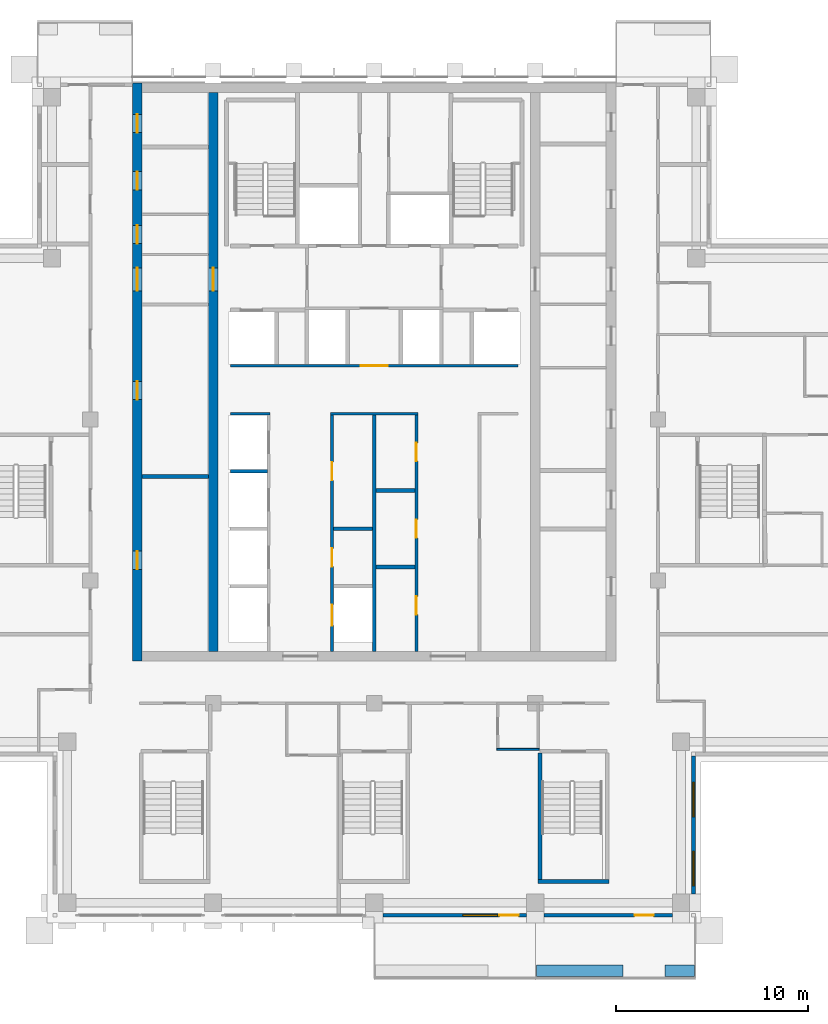
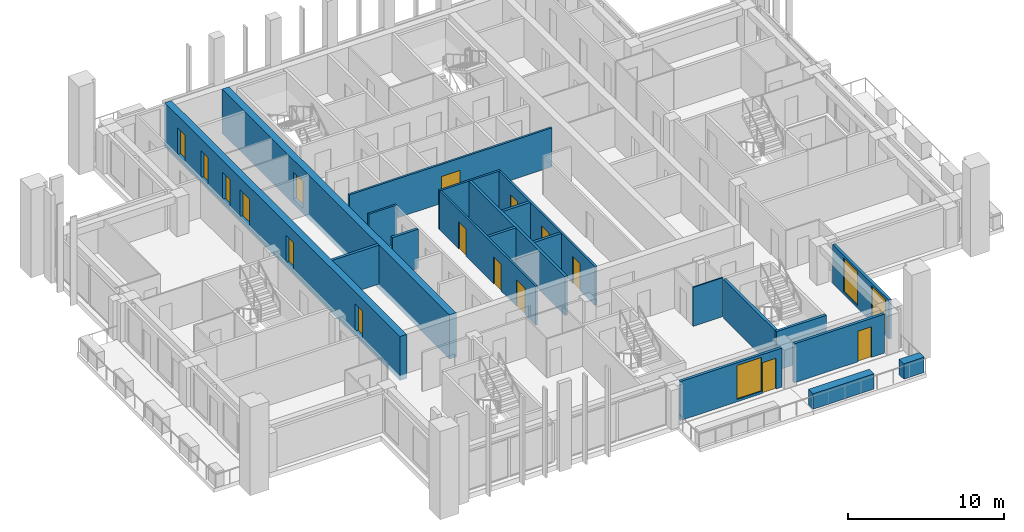
# One storey, part 10 of 18: 21 walls, 16 doors, 3 windows, 19 openings.
"""IFC4 building model written with IfcOpenShell, lengths in metres."""

from ifc_helpers import new_model, si_unit, direction, frame, frame_2d, origin, place, context, subcontext, project, spatial, rectangle, extrude, material, layer, layer_set, type_object, element, fill, save


model = new_model("IFC4")

# Units and contexts
model_context = context("Model", 3, precision=1e-05, world=origin(), true_north=direction((0.0, 1.0)))
body_context = subcontext(model_context, "Body", "Model", "MODEL_VIEW")
ifc_project = project(units=[si_unit("LENGTHUNIT", "METRE"), si_unit("AREAUNIT", "SQUARE_METRE"), si_unit("VOLUMEUNIT", "CUBIC_METRE"), si_unit("PLANEANGLEUNIT", "RADIAN"), si_unit("MASSUNIT", "GRAM", prefix="KILO")], contexts=[model_context])

# Site, building, storey
site_placement = place(None, origin())
site = spatial("IfcSite", under=ifc_project, at=site_placement, CompositionType="ELEMENT")
building_placement = place(site_placement, origin())
building = spatial("IfcBuilding", under=site, at=building_placement, Name="Vermilion Ogive Tower", CompositionType="ELEMENT")
storey_placement = place(building_placement, frame((0.0, 0.0, 240.699951171875)))
storey = spatial("IfcBuildingStorey", under=building, at=storey_placement, Name="L63", CompositionType="ELEMENT", Elevation=240.699951171875)

# Wall, openings, doors
ifc_material_1 = material(Name="Concrete B60", Category="concrete")
ifc_layer_1 = layer(ifc_material_1, 0.5)
ifc_layer_set_1 = layer_set([ifc_layer_1], Name="Core wall 500 B60")
wall_type_1 = type_object("IfcWallType", Name="Core wall 500 B60", PredefinedType="SHEAR", material=ifc_layer_set_1)
wall_1_placement = place(storey_placement, frame((-12.35009765625, -8.39990234375, -0.39990234375), z_axis=(0.0, 0.0, 1.0), x_axis=(0.0, 1.0, 0.0)))
wall_1 = element("IfcWall", 1, at=wall_1_placement, inside=storey, type_object=wall_type_1, Name="L63-CORE-W", PredefinedType="SHEAR", context=body_context, shape_type="SweptSolid", body=[
    extrude(rectangle(XDim=30.14990234375, YDim=0.5, at=frame_2d((15.074951171875, 0.0))), origin(), (0.0, 0.0, 1.0), 3.449951171875),
])
opening_1_placement = place(wall_1_placement, frame((4.78759765625, 0.0, 0.39990234375)))
opening_1 = element("IfcOpeningElement", 2, at=opening_1_placement, cuts=wall_1, Name="Opening DAD111", PredefinedType="OPENING", context=body_context, shape_type="SweptSolid", body=[
    extrude(rectangle(XDim=0.949951171875, YDim=2.10009765625, at=frame_2d((0.47509765625, 1.050048828125))), frame((0.0, 0.260009765625, 0.0), z_axis=(0.0, -1.0, 0.0), x_axis=(1.0, 0.0, 0.0)), (0.0, 0.0, 1.0), 0.52001953125),
])
opening_2_placement = place(wall_1_placement, frame((13.6376953125, 0.0, 0.39990234375)))
opening_2 = element("IfcOpeningElement", 3, at=opening_2_placement, cuts=wall_1, Name="Opening DAD112", PredefinedType="OPENING", context=body_context, shape_type="SweptSolid", body=[
    extrude(rectangle(XDim=0.949951171875, YDim=2.10009765625, at=frame_2d((0.47509765625, 1.050048828125))), frame((0.0, 0.260009765625, 0.0), z_axis=(0.0, -1.0, 0.0), x_axis=(1.0, 0.0, 0.0)), (0.0, 0.0, 1.0), 0.52001953125),
])
opening_3_placement = place(wall_1_placement, frame((21.7705078125, 0.0, 0.39990234375)))
opening_3 = element("IfcOpeningElement", 4, at=opening_3_placement, cuts=wall_1, Name="Opening DAD113", PredefinedType="OPENING", context=body_context, shape_type="SweptSolid", body=[
    extrude(rectangle(XDim=0.949951171875, YDim=2.10009765625, at=frame_2d((0.47509765625, 1.050048828125))), frame((0.0, 0.260009765625, 0.0), z_axis=(0.0, -1.0, 0.0), x_axis=(1.0, 0.0, 0.0)), (0.0, 0.0, 1.0), 0.52001953125),
])
opening_4_placement = place(wall_1_placement, frame((24.57568359375, 0.0, 0.39990234375)))
opening_4 = element("IfcOpeningElement", 5, at=opening_4_placement, cuts=wall_1, Name="Opening DAD114", PredefinedType="OPENING", context=body_context, shape_type="SweptSolid", body=[
    extrude(rectangle(XDim=0.949951171875, YDim=2.10009765625, at=frame_2d((0.47509765625, 1.050048828125))), frame((0.0, 0.260009765625, 0.0), z_axis=(0.0, -1.0, 0.0), x_axis=(1.0, 0.0, 0.0)), (0.0, 0.0, 1.0), 0.52001953125),
])
opening_5_placement = place(wall_1_placement, frame((27.555419921875, 0.0, 0.39990234375)))
opening_5 = element("IfcOpeningElement", 6, at=opening_5_placement, cuts=wall_1, Name="Opening DAD115", PredefinedType="OPENING", context=body_context, shape_type="SweptSolid", body=[
    extrude(rectangle(XDim=0.949951171875, YDim=2.10009765625, at=frame_2d((0.47509765625, 1.050048828125))), frame((0.0, 0.260009765625, 0.0), z_axis=(0.0, -1.0, 0.0), x_axis=(1.0, 0.0, 0.0)), (0.0, 0.0, 1.0), 0.52001953125),
])
opening_6_placement = place(wall_1_placement, frame((19.300048828125, 0.0, 0.39990234375)))
opening_6 = element("IfcOpeningElement", 7, at=opening_6_placement, cuts=wall_1, Name="Opening DAM026", PredefinedType="OPENING", context=body_context, shape_type="SweptSolid", body=[
    extrude(rectangle(XDim=1.199951171875, YDim=2.10009765625, at=frame_2d((0.60009765625, 1.050048828125))), frame((0.0, 0.260009765625, 0.0), z_axis=(0.0, -1.0, 0.0), x_axis=(1.0, 0.0, 0.0)), (0.0, 0.0, 1.0), 0.52001953125),
])
ifc_material_2 = material(Name="Timber door leaf", Category="wood")
door_type_1 = type_object("IfcDoorType", Name="Link door 1200 x 2100 FD60S", OperationType="SINGLE_SWING_LEFT", PredefinedType="DOOR", material=ifc_material_2)
door_1_placement = place(opening_6_placement, origin())
door_1 = element("IfcDoor", 8, at=door_1_placement, inside=storey, type_object=door_type_1, Name="L63-CKW-XL", OperationType="SINGLE_SWING_LEFT", OverallHeight=2.10009765625, OverallWidth=1.199951171875, PredefinedType="DOOR", context=body_context, shape_type="SweptSolid", body=[
    extrude(rectangle(XDim=1.199951171875, YDim=2.10009765625, at=frame_2d((0.60009765625, 1.050048828125))), frame((0.0, 0.02490234375, 0.0), z_axis=(0.0, -1.0, 0.0), x_axis=(1.0, 0.0, 0.0)), (0.0, 0.0, 1.0), 0.050048828125),
])
fill(opening_6, door_1)
ifc_material_3 = material(Name="Timber door leaf", Category="wood")
door_type_2 = type_object("IfcDoorType", Name="Service door 950 x 2100 FD60", OperationType="SINGLE_SWING_LEFT", PredefinedType="DOOR", material=ifc_material_3)
door_2_placement = place(opening_1_placement, origin())
door_2 = element("IfcDoor", 9, at=door_2_placement, inside=storey, type_object=door_type_2, Name="L63-CKW-XR0", OperationType="SINGLE_SWING_LEFT", OverallHeight=2.10009765625, OverallWidth=0.949951171875, PredefinedType="DOOR", context=body_context, shape_type="SweptSolid", body=[
    extrude(rectangle(XDim=0.949951171875, YDim=2.10009765625, at=frame_2d((0.47509765625, 1.050048828125))), frame((0.0, 0.02490234375, 0.0), z_axis=(0.0, -1.0, 0.0), x_axis=(1.0, 0.0, 0.0)), (0.0, 0.0, 1.0), 0.050048828125),
])
fill(opening_1, door_2)
door_3_placement = place(opening_2_placement, origin())
door_3 = element("IfcDoor", 10, at=door_3_placement, inside=storey, type_object=door_type_2, Name="L63-CKW-XR1", OperationType="SINGLE_SWING_LEFT", OverallHeight=2.10009765625, OverallWidth=0.949951171875, PredefinedType="DOOR", context=body_context, shape_type="SweptSolid", body=[
    extrude(rectangle(XDim=0.949951171875, YDim=2.10009765625, at=frame_2d((0.47509765625, 1.050048828125))), frame((0.0, 0.02490234375, 0.0), z_axis=(0.0, -1.0, 0.0), x_axis=(1.0, 0.0, 0.0)), (0.0, 0.0, 1.0), 0.050048828125),
])
fill(opening_2, door_3)
door_4_placement = place(opening_3_placement, origin())
door_4 = element("IfcDoor", 11, at=door_4_placement, inside=storey, type_object=door_type_2, Name="L63-CKW-XR2", OperationType="SINGLE_SWING_LEFT", OverallHeight=2.10009765625, OverallWidth=0.949951171875, PredefinedType="DOOR", context=body_context, shape_type="SweptSolid", body=[
    extrude(rectangle(XDim=0.949951171875, YDim=2.10009765625, at=frame_2d((0.47509765625, 1.050048828125))), frame((0.0, 0.02490234375, 0.0), z_axis=(0.0, -1.0, 0.0), x_axis=(1.0, 0.0, 0.0)), (0.0, 0.0, 1.0), 0.050048828125),
])
fill(opening_3, door_4)
door_5_placement = place(opening_4_placement, origin())
door_5 = element("IfcDoor", 12, at=door_5_placement, inside=storey, type_object=door_type_2, Name="L63-CKW-XR3", OperationType="SINGLE_SWING_LEFT", OverallHeight=2.10009765625, OverallWidth=0.949951171875, PredefinedType="DOOR", context=body_context, shape_type="SweptSolid", body=[
    extrude(rectangle(XDim=0.949951171875, YDim=2.10009765625, at=frame_2d((0.47509765625, 1.050048828125))), frame((0.0, 0.02490234375, 0.0), z_axis=(0.0, -1.0, 0.0), x_axis=(1.0, 0.0, 0.0)), (0.0, 0.0, 1.0), 0.050048828125),
])
fill(opening_4, door_5)
door_6_placement = place(opening_5_placement, origin())
door_6 = element("IfcDoor", 13, at=door_6_placement, inside=storey, type_object=door_type_2, Name="L63-CKW-XR4", OperationType="SINGLE_SWING_LEFT", OverallHeight=2.10009765625, OverallWidth=0.949951171875, PredefinedType="DOOR", context=body_context, shape_type="SweptSolid", body=[
    extrude(rectangle(XDim=0.949951171875, YDim=2.10009765625, at=frame_2d((0.47509765625, 1.050048828125))), frame((0.0, 0.02490234375, 0.0), z_axis=(0.0, -1.0, 0.0), x_axis=(1.0, 0.0, 0.0)), (0.0, 0.0, 1.0), 0.050048828125),
])
fill(opening_5, door_6)

# Wall, opening, door
wall_2_placement = place(storey_placement, frame((-8.39990234375, -7.89990234375, -0.39990234375), z_axis=(0.0, 0.0, 1.0), x_axis=(0.0, 1.0, 0.0)))
wall_2 = element("IfcWall", 14, at=wall_2_placement, inside=storey, type_object=wall_type_1, Name="L63-CORE-WEB1", PredefinedType="SHEAR", context=body_context, shape_type="SweptSolid", body=[
    extrude(rectangle(XDim=29.14990234375, YDim=0.5, at=frame_2d((14.574951171875, 0.0))), origin(), (0.0, 0.0, 1.0), 3.449951171875),
])
opening_7_placement = place(wall_2_placement, frame((18.800048828125, 0.0, 0.39990234375)))
opening_7 = element("IfcOpeningElement", 15, at=opening_7_placement, cuts=wall_2, Name="Opening DAP021", PredefinedType="OPENING", context=body_context, shape_type="SweptSolid", body=[
    extrude(rectangle(XDim=1.199951171875, YDim=2.10009765625, at=frame_2d((0.60009765625, 1.050048828125))), frame((0.0, 0.260009765625, 0.0), z_axis=(0.0, -1.0, 0.0), x_axis=(1.0, 0.0, 0.0)), (0.0, 0.0, 1.0), 0.52001953125),
])
door_7_placement = place(opening_7_placement, origin())
door_7 = element("IfcDoor", 16, at=door_7_placement, inside=storey, type_object=door_type_1, Name="L63-CKW-XW", OperationType="SINGLE_SWING_LEFT", OverallHeight=2.10009765625, OverallWidth=1.199951171875, PredefinedType="DOOR", context=body_context, shape_type="SweptSolid", body=[
    extrude(rectangle(XDim=1.199951171875, YDim=2.10009765625, at=frame_2d((0.60009765625, 1.050048828125))), frame((0.0, 0.02490234375, 0.0), z_axis=(0.0, -1.0, 0.0), x_axis=(1.0, 0.0, 0.0)), (0.0, 0.0, 1.0), 0.050048828125),
])
fill(opening_7, door_7)

# Walls
ifc_material_4 = material(Name="Gypsum board partition on steel studs", Category="steel")
ifc_layer_2 = layer(ifc_material_4, 0.10009765625)
ifc_layer_set_2 = layer_set([ifc_layer_2], Name="Partition 100 bath")
wall_type_2 = type_object("IfcWallType", Name="Partition 100 bath", PredefinedType="PARTITIONING", material=ifc_layer_set_2)
wall_3_placement = place(storey_placement, frame((6.39990234375, -13.0, 0.0), z_axis=(0.0, 0.0, 1.0), x_axis=(1.0, 0.0, 0.0)))
element("IfcWall", 17, at=wall_3_placement, inside=storey, type_object=wall_type_2, Name="L63-W-W006", PredefinedType="PARTITIONING", context=body_context, shape_type="SweptSolid", body=[
    extrude(rectangle(XDim=2.2001953125, YDim=0.10009765625, at=frame_2d((1.10009765625, 0.0))), origin(), (0.0, 0.0, 1.0), 3.050048828125),
])
ifc_material_5 = material(Name="Gypsum board partition on steel studs", Category="steel")
ifc_layer_3 = layer(ifc_material_5, 0.14990234375)
ifc_layer_set_3 = layer_set([ifc_layer_3], Name="Partition 150 corridor")
wall_type_3 = type_object("IfcWallType", Name="Partition 150 corridor", PredefinedType="PARTITIONING", material=ifc_layer_set_3)
wall_4_placement = place(storey_placement, frame((-7.5, 4.5, 0.0), z_axis=(0.0, 0.0, 1.0), x_axis=(1.0, 0.0, 0.0)))
element("IfcWall", 18, at=wall_4_placement, inside=storey, type_object=wall_type_3, Name="L63-CK-W-W008", PredefinedType="PARTITIONING", context=body_context, shape_type="SweptSolid", body=[
    extrude(rectangle(XDim=2.074951171875, YDim=0.14990234375, at=frame_2d((1.03759765625, 0.0))), origin(), (0.0, 0.0, 1.0), 3.050048828125),
])
wall_5_placement = place(storey_placement, frame((-2.27490234375, 4.5, 0.0), z_axis=(0.0, 0.0, 1.0), x_axis=(1.0, 0.0, 0.0)))
element("IfcWall", 19, at=wall_5_placement, inside=storey, type_object=wall_type_3, Name="L63-CK-W-W009", PredefinedType="PARTITIONING", context=body_context, shape_type="SweptSolid", body=[
    extrude(rectangle(XDim=4.5498046875, YDim=0.14990234375, at=frame_2d((2.27490234375, 0.0))), origin(), (0.0, 0.0, 1.0), 3.050048828125),
])

# Wall, opening, door
wall_6_placement = place(storey_placement, frame((-7.5, 7.0, 0.0), z_axis=(0.0, 0.0, 1.0), x_axis=(1.0, 0.0, 0.0)))
wall_6 = element("IfcWall", 20, at=wall_6_placement, inside=storey, type_object=wall_type_3, Name="L63-CK-W-W011", PredefinedType="PARTITIONING", context=body_context, shape_type="SweptSolid", body=[
    extrude(rectangle(XDim=15.0, YDim=0.14990234375, at=frame_2d((7.5, 0.0))), origin(), (0.0, 0.0, 1.0), 3.050048828125),
])
opening_8_placement = place(wall_6_placement, frame((6.800048828125, 0.0, 0.0)))
opening_8 = element("IfcOpeningElement", 21, at=opening_8_placement, cuts=wall_6, Name="Opening DAA587", PredefinedType="OPENING", context=body_context, shape_type="SweptSolid", body=[
    extrude(rectangle(XDim=1.39990234375, YDim=2.10009765625, at=frame_2d((0.699951171875, 1.050048828125))), frame((0.0, 0.0849609375, 0.0), z_axis=(0.0, -1.0, 0.0), x_axis=(1.0, 0.0, 0.0)), (0.0, 0.0, 1.0), 0.169921875),
])
ifc_material_6 = material(Name="Timber door leaf", Category="wood")
door_type_3 = type_object("IfcDoorType", Name="Lobby door 1400 x 2100 FD60S", OperationType="SINGLE_SWING_LEFT", PredefinedType="DOOR", material=ifc_material_6)
door_8_placement = place(opening_8_placement, origin())
door_8 = element("IfcDoor", 22, at=door_8_placement, inside=storey, type_object=door_type_3, Name="L63-CK-D-D016", OperationType="SINGLE_SWING_RIGHT", OverallHeight=2.10009765625, OverallWidth=1.39990234375, PredefinedType="DOOR", context=body_context, shape_type="SweptSolid", body=[
    extrude(rectangle(XDim=1.39990234375, YDim=2.10009765625, at=frame_2d((0.699951171875, 1.050048828125))), frame((0.0, 0.02490234375, 0.0), z_axis=(0.0, -1.0, 0.0), x_axis=(1.0, 0.0, 0.0)), (0.0, 0.0, 1.0), 0.050048828125),
])
fill(opening_8, door_8)

# Wall, openings, doors
wall_7_placement = place(storey_placement, frame((-2.199951171875, -7.89892578125, 0.0), z_axis=(0.0, 0.0, 1.0), x_axis=(0.0, 1.0, 0.0)))
wall_7 = element("IfcWall", 23, at=wall_7_placement, inside=storey, type_object=wall_type_3, Name="L63-CK-W-W025", PredefinedType="PARTITIONING", context=body_context, shape_type="SweptSolid", body=[
    extrude(rectangle(XDim=12.323974609375, YDim=0.14990234375, at=frame_2d((6.162109375, 0.0))), origin(), (0.0, 0.0, 1.0), 3.050048828125),
])
opening_9_placement = place(wall_7_placement, frame((1.348876953125, 0.0, 0.0)))
opening_9 = element("IfcOpeningElement", 24, at=opening_9_placement, cuts=wall_7, Name="Opening DAA604", PredefinedType="OPENING", context=body_context, shape_type="SweptSolid", body=[
    extrude(rectangle(XDim=1.10009765625, YDim=2.10009765625, at=frame_2d((0.550048828125, 1.050048828125))), frame((0.0, 0.0849609375, 0.0), z_axis=(0.0, -1.0, 0.0), x_axis=(1.0, 0.0, 0.0)), (0.0, 0.0, 1.0), 0.169921875),
])
opening_10_placement = place(wall_7_placement, frame((4.423828125, 0.0, 0.0)))
opening_10 = element("IfcOpeningElement", 25, at=opening_10_placement, cuts=wall_7, Name="Opening DAA590", PredefinedType="OPENING", context=body_context, shape_type="SweptSolid", body=[
    extrude(rectangle(XDim=0.949951171875, YDim=2.10009765625, at=frame_2d((0.47509765625, 1.050048828125))), frame((0.0, 0.0849609375, 0.0), z_axis=(0.0, -1.0, 0.0), x_axis=(1.0, 0.0, 0.0)), (0.0, 0.0, 1.0), 0.169921875),
])
opening_11_placement = place(wall_7_placement, frame((8.923828125, 0.0, 0.0)))
opening_11 = element("IfcOpeningElement", 26, at=opening_11_placement, cuts=wall_7, Name="Opening DAA591", PredefinedType="OPENING", context=body_context, shape_type="SweptSolid", body=[
    extrude(rectangle(XDim=0.949951171875, YDim=2.10009765625, at=frame_2d((0.47509765625, 1.050048828125))), frame((0.0, 0.0849609375, 0.0), z_axis=(0.0, -1.0, 0.0), x_axis=(1.0, 0.0, 0.0)), (0.0, 0.0, 1.0), 0.169921875),
])
ifc_material_7 = material(Name="Stainless steel", Category="steel")
door_type_4 = type_object("IfcDoorType", Name="Lift landing door 1100 x 2100", OperationType="SLIDING_TO_LEFT", PredefinedType="DOOR", material=ifc_material_7)
door_9_placement = place(opening_9_placement, origin())
door_9 = element("IfcDoor", 27, at=door_9_placement, inside=storey, type_object=door_type_4, Name="L63-CK-D-D005", OperationType="SLIDING_TO_LEFT", OverallHeight=2.10009765625, OverallWidth=1.10009765625, PredefinedType="DOOR", context=body_context, shape_type="SweptSolid", body=[
    extrude(rectangle(XDim=1.10009765625, YDim=2.10009765625, at=frame_2d((0.550048828125, 1.050048828125))), frame((0.0, 0.02490234375, 0.0), z_axis=(0.0, -1.0, 0.0), x_axis=(1.0, 0.0, 0.0)), (0.0, 0.0, 1.0), 0.050048828125),
])
fill(opening_9, door_9)
door_10_placement = place(opening_10_placement, origin())
door_10 = element("IfcDoor", 28, at=door_10_placement, inside=storey, type_object=door_type_2, Name="L63-CK-D-D006", OperationType="SINGLE_SWING_RIGHT", OverallHeight=2.10009765625, OverallWidth=0.949951171875, PredefinedType="DOOR", context=body_context, shape_type="SweptSolid", body=[
    extrude(rectangle(XDim=0.949951171875, YDim=2.10009765625, at=frame_2d((0.47509765625, 1.050048828125))), frame((0.0, 0.02490234375, 0.0), z_axis=(0.0, -1.0, 0.0), x_axis=(1.0, 0.0, 0.0)), (0.0, 0.0, 1.0), 0.050048828125),
])
fill(opening_10, door_10)
door_11_placement = place(opening_11_placement, origin())
door_11 = element("IfcDoor", 29, at=door_11_placement, inside=storey, type_object=door_type_2, Name="L63-CK-D-D007", OperationType="SINGLE_SWING_LEFT", OverallHeight=2.10009765625, OverallWidth=0.949951171875, PredefinedType="DOOR", context=body_context, shape_type="SweptSolid", body=[
    extrude(rectangle(XDim=0.949951171875, YDim=2.10009765625, at=frame_2d((0.47509765625, 1.050048828125))), frame((0.0, 0.02490234375, 0.0), z_axis=(0.0, -1.0, 0.0), x_axis=(1.0, 0.0, 0.0)), (0.0, 0.0, 1.0), 0.050048828125),
])
fill(opening_11, door_11)

wall_8_placement = place(storey_placement, frame((2.199951171875, -7.89892578125, 0.0), z_axis=(0.0, 0.0, 1.0), x_axis=(0.0, 1.0, 0.0)))
wall_8 = element("IfcWall", 30, at=wall_8_placement, inside=storey, type_object=wall_type_3, Name="L63-CK-W-W032", PredefinedType="PARTITIONING", context=body_context, shape_type="SweptSolid", body=[
    extrude(rectangle(XDim=12.323974609375, YDim=0.14990234375, at=frame_2d((6.162109375, 0.0))), origin(), (0.0, 0.0, 1.0), 3.050048828125),
])
opening_12_placement = place(wall_8_placement, frame((1.923828125, 0.0, 0.0)))
opening_12 = element("IfcOpeningElement", 31, at=opening_12_placement, cuts=wall_8, Name="Opening DAA592", PredefinedType="OPENING", context=body_context, shape_type="SweptSolid", body=[
    extrude(rectangle(XDim=0.949951171875, YDim=2.10009765625, at=frame_2d((0.47509765625, 1.050048828125))), frame((0.0, 0.0849609375, 0.0), z_axis=(0.0, -1.0, 0.0), x_axis=(1.0, 0.0, 0.0)), (0.0, 0.0, 1.0), 0.169921875),
])
opening_13_placement = place(wall_8_placement, frame((5.923828125, 0.0, 0.0)))
opening_13 = element("IfcOpeningElement", 32, at=opening_13_placement, cuts=wall_8, Name="Opening DAA593", PredefinedType="OPENING", context=body_context, shape_type="SweptSolid", body=[
    extrude(rectangle(XDim=0.949951171875, YDim=2.10009765625, at=frame_2d((0.47509765625, 1.050048828125))), frame((0.0, 0.0849609375, 0.0), z_axis=(0.0, -1.0, 0.0), x_axis=(1.0, 0.0, 0.0)), (0.0, 0.0, 1.0), 0.169921875),
])
opening_14_placement = place(wall_8_placement, frame((9.923828125, 0.0, 0.0)))
opening_14 = element("IfcOpeningElement", 33, at=opening_14_placement, cuts=wall_8, Name="Opening DAA594", PredefinedType="OPENING", context=body_context, shape_type="SweptSolid", body=[
    extrude(rectangle(XDim=0.949951171875, YDim=2.10009765625, at=frame_2d((0.47509765625, 1.050048828125))), frame((0.0, 0.0849609375, 0.0), z_axis=(0.0, -1.0, 0.0), x_axis=(1.0, 0.0, 0.0)), (0.0, 0.0, 1.0), 0.169921875),
])
door_12_placement = place(opening_12_placement, origin())
door_12 = element("IfcDoor", 34, at=door_12_placement, inside=storey, type_object=door_type_2, Name="L63-CK-D-D008", OperationType="SINGLE_SWING_RIGHT", OverallHeight=2.10009765625, OverallWidth=0.949951171875, PredefinedType="DOOR", context=body_context, shape_type="SweptSolid", body=[
    extrude(rectangle(XDim=0.949951171875, YDim=2.10009765625, at=frame_2d((0.47509765625, 1.050048828125))), frame((0.0, 0.02490234375, 0.0), z_axis=(0.0, -1.0, 0.0), x_axis=(1.0, 0.0, 0.0)), (0.0, 0.0, 1.0), 0.050048828125),
])
fill(opening_12, door_12)
door_13_placement = place(opening_13_placement, origin())
door_13 = element("IfcDoor", 35, at=door_13_placement, inside=storey, type_object=door_type_2, Name="L63-CK-D-D009", OperationType="SINGLE_SWING_RIGHT", OverallHeight=2.10009765625, OverallWidth=0.949951171875, PredefinedType="DOOR", context=body_context, shape_type="SweptSolid", body=[
    extrude(rectangle(XDim=0.949951171875, YDim=2.10009765625, at=frame_2d((0.47509765625, 1.050048828125))), frame((0.0, 0.02490234375, 0.0), z_axis=(0.0, -1.0, 0.0), x_axis=(1.0, 0.0, 0.0)), (0.0, 0.0, 1.0), 0.050048828125),
])
fill(opening_13, door_13)
door_14_placement = place(opening_14_placement, origin())
door_14 = element("IfcDoor", 36, at=door_14_placement, inside=storey, type_object=door_type_2, Name="L63-CK-D-D010", OperationType="SINGLE_SWING_LEFT", OverallHeight=2.10009765625, OverallWidth=0.949951171875, PredefinedType="DOOR", context=body_context, shape_type="SweptSolid", body=[
    extrude(rectangle(XDim=0.949951171875, YDim=2.10009765625, at=frame_2d((0.47509765625, 1.050048828125))), frame((0.0, 0.02490234375, 0.0), z_axis=(0.0, -1.0, 0.0), x_axis=(1.0, 0.0, 0.0)), (0.0, 0.0, 1.0), 0.050048828125),
])
fill(opening_14, door_14)

# Walls
ifc_material_8 = material(Name="Gypsum board partition on steel studs", Category="steel")
ifc_layer_4 = layer(ifc_material_8, 0.199951171875)
ifc_layer_set_4 = layer_set([ifc_layer_4], Name="Partition 200 party")
wall_type_4 = type_object("IfcWallType", Name="Partition 200 party", PredefinedType="PARTITIONING", material=ifc_layer_set_4)
for number, where, z_axis, x_axis, name in (
    (37, (0.10009765625, -3.5, 0.0), (0.0, 0.0, 1.0), (1.0, 0.0, 0.0), "L63-CK-W-W003"),
    (38, (-2.125, -1.5, 0.0), (0.0, 0.0, 1.0), (1.0, 0.0, 0.0), "L63-CK-W-W005"),
    (39, (0.10009765625, 0.5, 0.0), (0.0, 0.0, 1.0), (1.0, 0.0, 0.0), "L63-CK-W-W006"),
):
    element("IfcWall", number, at=place(storey_placement, frame(where, z_axis=z_axis, x_axis=x_axis)), inside=storey, type_object=wall_type_4, Name=name, PredefinedType="PARTITIONING", context=body_context, shape_type="SweptSolid", body=[
        extrude(rectangle(XDim=2.02490234375, YDim=0.199951171875, at=frame_2d((1.012451171875, 0.0))), origin(), (0.0, 0.0, 1.0), 3.050048828125),
    ])
wall_9_placement = place(storey_placement, frame((-7.5, 1.5, 0.0), z_axis=(0.0, 0.0, 1.0), x_axis=(1.0, 0.0, 0.0)))
element("IfcWall", 40, at=wall_9_placement, inside=storey, type_object=wall_type_4, Name="L63-CK-W-W007", PredefinedType="PARTITIONING", context=body_context, shape_type="SweptSolid", body=[
    extrude(rectangle(XDim=1.925048828125, YDim=0.199951171875, at=frame_2d((0.96240234375, 0.0))), origin(), (0.0, 0.0, 1.0), 3.050048828125),
])
wall_10_placement = place(storey_placement, frame((0.0, -7.89892578125, 0.0), z_axis=(0.0, 0.0, 1.0), x_axis=(0.0, 1.0, 0.0)))
element("IfcWall", 41, at=wall_10_placement, inside=storey, type_object=wall_type_4, Name="L63-CK-W-W028", PredefinedType="PARTITIONING", context=body_context, shape_type="SweptSolid", body=[
    extrude(rectangle(XDim=12.323974609375, YDim=0.199951171875, at=frame_2d((6.162109375, 0.0))), origin(), (0.0, 0.0, 1.0), 3.050048828125),
])
wall_11_placement = place(storey_placement, frame((-12.09912109375, 1.22509765625, 0.0), z_axis=(0.0, 0.0, 1.0), x_axis=(1.0, 0.0, 0.0)))
element("IfcWall", 42, at=wall_11_placement, inside=storey, type_object=wall_type_4, Name="L63-CKW-W-W001", PredefinedType="PARTITIONING", context=body_context, shape_type="SweptSolid", body=[
    extrude(rectangle(XDim=3.4482421875, YDim=0.199951171875, at=frame_2d((1.72412109375, 0.0))), origin(), (0.0, 0.0, 1.0), 3.050048828125),
])
ifc_material_9 = material(Name="Concrete B60", Category="concrete")
ifc_layer_5 = layer(ifc_material_9, 0.199951171875)
ifc_layer_set_5 = layer_set([ifc_layer_5], Name="Stair shaft wall 200 Concrete B60")
wall_type_5 = type_object("IfcWallType", Name="Stair shaft wall 200 Concrete B60", PredefinedType="SOLIDWALL", material=ifc_layer_set_5)
wall_12_placement = place(storey_placement, frame((8.550048828125, -19.89990234375, 0.0), z_axis=(0.0, 0.0, 1.0), x_axis=(1.0, 0.0, 0.0)))
element("IfcWall", 43, at=wall_12_placement, inside=storey, type_object=wall_type_5, Name="L63-SW-ST5-S1", PredefinedType="SOLIDWALL", context=body_context, shape_type="SweptSolid", body=[
    extrude(rectangle(XDim=3.699951171875, YDim=0.199951171875, at=frame_2d((1.85009765625, 0.0))), origin(), (0.0, 0.0, 1.0), 3.050048828125),
])
wall_13_placement = place(storey_placement, frame((8.64990234375, -19.800048828125, 0.0), z_axis=(0.0, 0.0, 1.0), x_axis=(0.0, 1.0, 0.0)))
element("IfcWall", 44, at=wall_13_placement, inside=storey, type_object=wall_type_5, Name="L63-SW-ST5-W1", PredefinedType="SOLIDWALL", context=body_context, shape_type="SweptSolid", body=[
    extrude(rectangle(XDim=6.60009765625, YDim=0.199951171875, at=frame_2d((3.300048828125, 0.0))), origin(), (0.0, 0.0, 1.0), 3.050048828125),
])
ifc_material_10 = material(Name="Concrete B40", Category="concrete")
ifc_layer_6 = layer(ifc_material_10, 0.60009765625)
ifc_layer_set_6 = layer_set([ifc_layer_6], Name="Structural planter")
wall_type_6 = type_object("IfcWallType", Name="Structural planter", PredefinedType="USERDEFINED", material=ifc_layer_set_6)
wall_14_placement = place(storey_placement, frame((8.4599609375, -24.550048828125, -0.0400390625), z_axis=(0.0, 0.0, 1.0), x_axis=(1.0, 0.0, 0.0)))
element("IfcWall", 45, at=wall_14_placement, inside=storey, type_object=wall_type_6, Name="Planter S04A1", ObjectType="PLANTER", PredefinedType="USERDEFINED", context=body_context, shape_type="SweptSolid", body=[
    extrude(rectangle(XDim=4.51513671875, YDim=0.60009765625, at=frame_2d((2.257568359375, 0.0))), origin(), (0.0, 0.0, 1.0), 1.2001953125),
])
wall_15_placement = place(storey_placement, frame((15.175048828125, -24.550048828125, -0.0400390625), z_axis=(0.0, 0.0, 1.0), x_axis=(1.0, 0.0, 0.0)))
element("IfcWall", 46, at=wall_15_placement, inside=storey, type_object=wall_type_6, Name="Planter S04A2", ObjectType="PLANTER", PredefinedType="USERDEFINED", context=body_context, shape_type="SweptSolid", body=[
    extrude(rectangle(XDim=1.514892578125, YDim=0.60009765625, at=frame_2d((0.75732421875, 0.0))), origin(), (0.0, 0.0, 1.0), 1.2001953125),
])

# Wall, openings, door, window
ifc_material_11 = material(Name="Aluminium window wall framing", Category="aluminium")
ifc_layer_7 = layer(ifc_material_11, 0.199951171875)
ifc_layer_set_7 = layer_set([ifc_layer_7], Name="Window wall")
wall_type_7 = type_object("IfcWallType", Name="Window wall", PredefinedType="STANDARD", material=ifc_layer_set_7)
wall_16_placement = place(storey_placement, frame((0.449951171875, -21.64990234375, 0.0), z_axis=(0.0, 0.0, 1.0), x_axis=(1.0, 0.0, 0.0)))
wall_16 = element("IfcWall", 47, at=wall_16_placement, inside=storey, type_object=wall_type_7, Name="Window wall S3", PredefinedType="STANDARD", context=body_context, shape_type="SweptSolid", body=[
    extrude(rectangle(XDim=7.5, YDim=0.199951171875, at=frame_2d((3.75, 0.0))), origin(), (0.0, 0.0, 1.0), 3.050048828125),
])
opening_15_placement = place(wall_16_placement, frame((4.175048828125, 0.0, 0.199951171875)))
opening_15 = element("IfcOpeningElement", 48, at=opening_15_placement, cuts=wall_16, Name="Opening W1-S01", PredefinedType="OPENING", context=body_context, shape_type="SweptSolid", body=[
    extrude(rectangle(XDim=1.800048828125, YDim=2.64990234375, at=frame_2d((0.89990234375, 1.324951171875))), frame((0.0, 0.10986328125, 0.0), z_axis=(0.0, -1.0, 0.0), x_axis=(1.0, 0.0, 0.0)), (0.0, 0.0, 1.0), 0.219970703125),
])
opening_16_placement = place(wall_16_placement, frame((6.074951171875, 0.0, 0.0)))
opening_16 = element("IfcOpeningElement", 49, at=opening_16_placement, cuts=wall_16, Name="Opening D1-S01", PredefinedType="OPENING", context=body_context, shape_type="SweptSolid", body=[
    extrude(rectangle(XDim=1.0, YDim=2.39990234375, at=frame_2d((0.5, 1.199951171875))), frame((0.0, 0.10986328125, 0.0), z_axis=(0.0, -1.0, 0.0), x_axis=(1.0, 0.0, 0.0)), (0.0, 0.0, 1.0), 0.219970703125),
])
ifc_material_12 = material(Name="Aluminium framed glazed door", Category="aluminium")
door_type_5 = type_object("IfcDoorType", Name="Balcony door D1", OperationType="SINGLE_SWING_LEFT", PredefinedType="DOOR", material=ifc_material_12)
door_15_placement = place(opening_16_placement, origin())
door_15 = element("IfcDoor", 50, at=door_15_placement, inside=storey, type_object=door_type_5, Name="Balcony door S01", OperationType="SINGLE_SWING_LEFT", OverallHeight=2.39990234375, OverallWidth=1.0, PredefinedType="DOOR", context=body_context, shape_type="SweptSolid", body=[
    extrude(rectangle(XDim=1.0, YDim=2.39990234375, at=frame_2d((0.5, 1.199951171875))), frame((0.0, 0.02490234375, 0.0), z_axis=(0.0, -1.0, 0.0), x_axis=(1.0, 0.0, 0.0)), (0.0, 0.0, 1.0), 0.050048828125),
])
fill(opening_16, door_15)
ifc_material_13 = material(Name="Aluminium framed double glazing", Category="aluminium")
window_type = type_object("IfcWindowType", Name="Guest window W1", PartitioningType="SINGLE_PANEL", PredefinedType="WINDOW", material=ifc_material_13)
window_1_placement = place(opening_15_placement, origin())
window_1 = element("IfcWindow", 51, at=window_1_placement, inside=storey, type_object=window_type, Name="Window S01", OverallHeight=2.64990234375, OverallWidth=1.800048828125, PartitioningType="SINGLE_PANEL", PredefinedType="WINDOW", context=body_context, shape_type="SweptSolid", body=[
    extrude(rectangle(XDim=1.800048828125, YDim=2.64990234375, at=frame_2d((0.89990234375, 1.324951171875))), frame((0.0, 0.030029296875, 0.0), z_axis=(0.0, -1.0, 0.0), x_axis=(1.0, 0.0, 0.0)), (0.0, 0.0, 1.0), 0.06005859375),
])
fill(opening_15, window_1)

# Wall, opening, door
wall_17_placement = place(storey_placement, frame((8.85009765625, -21.64990234375, 0.0), z_axis=(0.0, 0.0, 1.0), x_axis=(1.0, 0.0, 0.0)))
wall_17 = element("IfcWall", 52, at=wall_17_placement, inside=storey, type_object=wall_type_7, Name="Window wall S4", PredefinedType="STANDARD", context=body_context, shape_type="SweptSolid", body=[
    extrude(rectangle(XDim=6.699951171875, YDim=0.199951171875, at=frame_2d((3.35009765625, 0.0))), origin(), (0.0, 0.0, 1.0), 3.050048828125),
])
opening_17_placement = place(wall_17_placement, frame((4.72509765625, 0.0, 0.0)))
opening_17 = element("IfcOpeningElement", 53, at=opening_17_placement, cuts=wall_17, Name="Opening D1-S03K", PredefinedType="OPENING", context=body_context, shape_type="SweptSolid", body=[
    extrude(rectangle(XDim=1.0, YDim=2.39990234375, at=frame_2d((0.5, 1.199951171875))), frame((0.0, 0.10986328125, 0.0), z_axis=(0.0, -1.0, 0.0), x_axis=(1.0, 0.0, 0.0)), (0.0, 0.0, 1.0), 0.219970703125),
])
door_16_placement = place(opening_17_placement, origin())
door_16 = element("IfcDoor", 54, at=door_16_placement, inside=storey, type_object=door_type_5, Name="Balcony door S03K", OperationType="SINGLE_SWING_LEFT", OverallHeight=2.39990234375, OverallWidth=1.0, PredefinedType="DOOR", context=body_context, shape_type="SweptSolid", body=[
    extrude(rectangle(XDim=1.0, YDim=2.39990234375, at=frame_2d((0.5, 1.199951171875))), frame((0.0, 0.02490234375, 0.0), z_axis=(0.0, -1.0, 0.0), x_axis=(1.0, 0.0, 0.0)), (0.0, 0.0, 1.0), 0.050048828125),
])
fill(opening_17, door_16)

# Wall, openings, windows
wall_18_placement = place(storey_placement, frame((16.64990234375, -20.550048828125, 0.0), z_axis=(0.0, 0.0, 1.0), x_axis=(0.0, 1.0, 0.0)))
wall_18 = element("IfcWall", 55, at=wall_18_placement, inside=storey, type_object=wall_type_7, Name="Window wall X11", PredefinedType="STANDARD", context=body_context, shape_type="SweptSolid", body=[
    extrude(rectangle(XDim=7.199951171875, YDim=0.199951171875, at=frame_2d((3.60009765625, 0.0))), origin(), (0.0, 0.0, 1.0), 3.050048828125),
])
opening_18_placement = place(wall_18_placement, frame((0.425048828125, 0.0, 0.199951171875)))
opening_18 = element("IfcOpeningElement", 56, at=opening_18_placement, cuts=wall_18, Name="Opening W1-X195", PredefinedType="OPENING", context=body_context, shape_type="SweptSolid", body=[
    extrude(rectangle(XDim=1.800048828125, YDim=2.64990234375, at=frame_2d((0.89990234375, 1.324951171875))), frame((0.0, 0.10986328125, 0.0), z_axis=(0.0, -1.0, 0.0), x_axis=(1.0, 0.0, 0.0)), (0.0, 0.0, 1.0), 0.219970703125),
])
opening_19_placement = place(wall_18_placement, frame((4.02490234375, 0.0, 0.199951171875)))
opening_19 = element("IfcOpeningElement", 57, at=opening_19_placement, cuts=wall_18, Name="Opening W1-X196", PredefinedType="OPENING", context=body_context, shape_type="SweptSolid", body=[
    extrude(rectangle(XDim=1.800048828125, YDim=2.64990234375, at=frame_2d((0.89990234375, 1.324951171875))), frame((0.0, 0.10986328125, 0.0), z_axis=(0.0, -1.0, 0.0), x_axis=(1.0, 0.0, 0.0)), (0.0, 0.0, 1.0), 0.219970703125),
])
window_2_placement = place(opening_18_placement, origin())
window_2 = element("IfcWindow", 58, at=window_2_placement, inside=storey, type_object=window_type, Name="Window X195", OverallHeight=2.64990234375, OverallWidth=1.800048828125, PartitioningType="SINGLE_PANEL", PredefinedType="WINDOW", context=body_context, shape_type="SweptSolid", body=[
    extrude(rectangle(XDim=1.800048828125, YDim=2.64990234375, at=frame_2d((0.89990234375, 1.324951171875))), frame((0.0, 0.030029296875, 0.0), z_axis=(0.0, -1.0, 0.0), x_axis=(1.0, 0.0, 0.0)), (0.0, 0.0, 1.0), 0.06005859375),
])
fill(opening_18, window_2)
window_3_placement = place(opening_19_placement, origin())
window_3 = element("IfcWindow", 59, at=window_3_placement, inside=storey, type_object=window_type, Name="Window X196", OverallHeight=2.64990234375, OverallWidth=1.800048828125, PartitioningType="SINGLE_PANEL", PredefinedType="WINDOW", context=body_context, shape_type="SweptSolid", body=[
    extrude(rectangle(XDim=1.800048828125, YDim=2.64990234375, at=frame_2d((0.89990234375, 1.324951171875))), frame((0.0, 0.030029296875, 0.0), z_axis=(0.0, -1.0, 0.0), x_axis=(1.0, 0.0, 0.0)), (0.0, 0.0, 1.0), 0.06005859375),
])
fill(opening_19, window_3)

save(model, "model.ifc")
